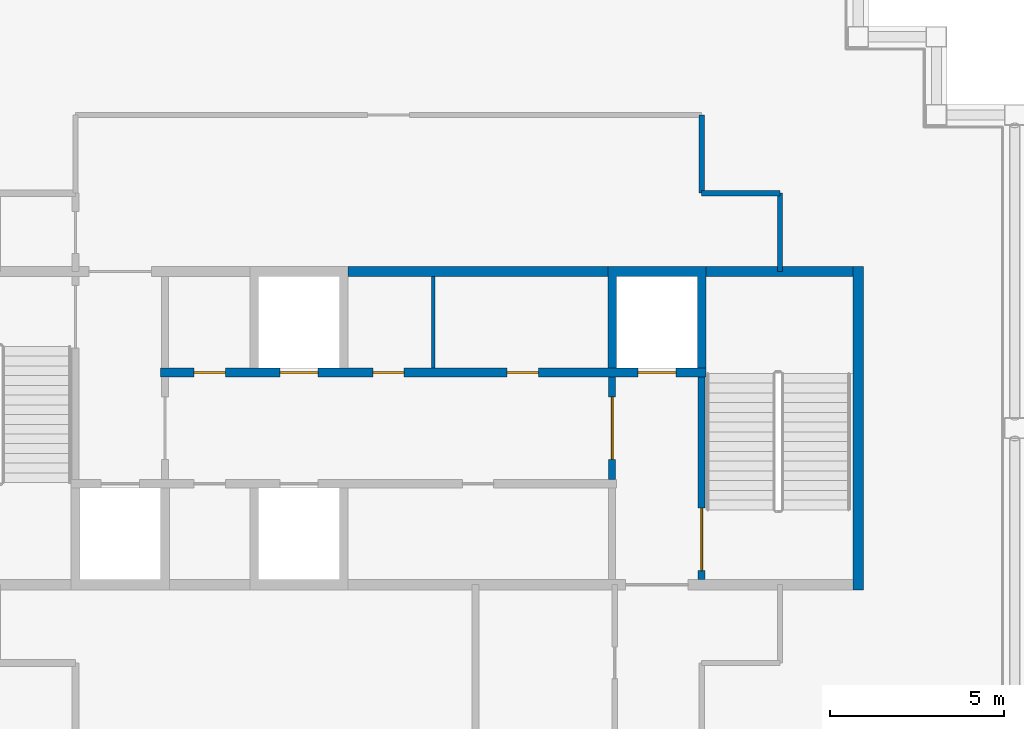
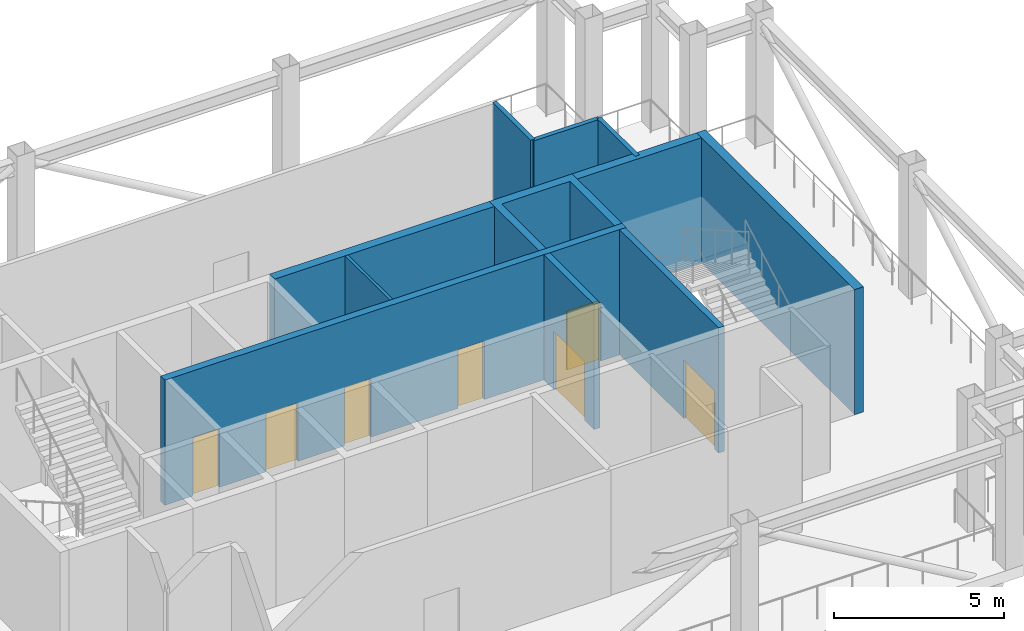
# One storey, part 3 of 9: 11 walls, 7 doors, 7 openings.
"""IFC4 building model written with IfcOpenShell, lengths in metres."""

import ifcopenshell
import ifcopenshell.guid

model = None  # the IFC model being written
_history = None  # IfcOwnerHistory: only IFC2X3 demands one
_inside = {}  # id of a spatial element -> (the spatial element, [elements in it])
_under = {}  # id of a project, library or spatial element -> (it, [spatial elements below it])
_declared = {}  # id of a project -> (the project, [libraries it declares])
_typed = {}  # id of a type object -> (the type object, [elements of that type])
_made_of = {}  # id of a material, layer set ... -> (it, [elements and type objects made of it])


def new_model(schema):
    """Start an empty IFC model of exactly this schema.

    Asked for "IFC4X3", IfcOpenShell would pick the latest addendum, in which some entities
    have other attributes; the version numbers below select the first issue.
    IFC2X3 requires an IfcOwnerHistory on every rooted entity: one is made here for all.
    """
    global model, _history
    if schema == "IFC4X3":
        model = ifcopenshell.file(schema_version=(4, 3, 0, 0))
    else:
        model = ifcopenshell.file(schema=schema)
    _inside.clear()
    _under.clear()
    _declared.clear()
    _typed.clear()
    _made_of.clear()
    _history = None
    if model.schema == "IFC2X3":
        org = make("IfcOrganization", Name="unknown")
        user = make(
            "IfcPersonAndOrganization",
            ThePerson=make("IfcPerson", FamilyName="unknown"),
            TheOrganization=org,
        )
        app = make(
            "IfcApplication",
            ApplicationDeveloper=org,
            Version="unknown",
            ApplicationFullName="unknown",
            ApplicationIdentifier="unknown",
        )
        _history = make(
            "IfcOwnerHistory",
            OwningUser=user,
            OwningApplication=app,
            ChangeAction="ADDED",
            CreationDate=0,
        )
    return model


def make(cls, **values):
    """One entity of the class cls with the attributes given. An attribute that is None is left unset."""
    return model.create_entity(
        cls, **{name: value for name, value in values.items() if value is not None}
    )


def rooted(cls, **values):
    """An entity with a GlobalId (a new one), such as an element, a storey or a relation."""
    return make(cls, GlobalId=ifcopenshell.guid.new(), OwnerHistory=_history, **values)


def si_unit(unit_type, name, prefix=None):
    """IfcSIUnit, for example si_unit("LENGTHUNIT", "METRE", prefix="MILLI")."""
    return make("IfcSIUnit", UnitType=unit_type, Prefix=prefix, Name=name)


def assignment(units):
    """IfcUnitAssignment: the units of a project."""
    return None if units is None else make("IfcUnitAssignment", Units=units)


def point(xyz):
    """IfcCartesianPoint."""
    return None if xyz is None else make("IfcCartesianPoint", Coordinates=xyz)


def direction(xyz):
    """IfcDirection."""
    return None if xyz is None else make("IfcDirection", DirectionRatios=xyz)


def frame(location, z_axis=None, x_axis=None):
    """IfcAxis2Placement3D, a coordinate frame: its origin and axes. An axis left out is left unset."""
    return make(
        "IfcAxis2Placement3D",
        Location=point(location),
        Axis=direction(z_axis),
        RefDirection=direction(x_axis),
    )


def frame_2d(location, x_axis=None):
    """IfcAxis2Placement2D, a coordinate frame in the plane: its origin and x axis."""
    return make(
        "IfcAxis2Placement2D", Location=point(location), RefDirection=direction(x_axis)
    )


def origin():
    """The frame at (0, 0, 0) with its axes left unset."""
    return frame((0.0, 0.0, 0.0))


def place(relative_to, where):
    """IfcLocalPlacement: puts the frame where relative to a parent placement (None: the world)."""
    return make(
        "IfcLocalPlacement", PlacementRelTo=relative_to, RelativePlacement=where
    )


def context(
    kind, dimensions, precision=None, world=None, true_north=None, identifier=None
):
    """IfcGeometricRepresentationContext, for example the 3D "Model" context."""
    return make(
        "IfcGeometricRepresentationContext",
        ContextIdentifier=identifier,
        ContextType=kind,
        CoordinateSpaceDimension=dimensions,
        Precision=precision,
        WorldCoordinateSystem=world,
        TrueNorth=true_north,
    )


def subcontext(parent, identifier, kind, view, scale=None):
    """IfcGeometricRepresentationSubContext, for example "Body" below "Model"."""
    return make(
        "IfcGeometricRepresentationSubContext",
        ContextIdentifier=identifier,
        ContextType=kind,
        ParentContext=parent,
        TargetScale=scale,
        TargetView=view,
    )


def project(units=None, contexts=None):
    """IfcProject with its units and contexts."""
    return rooted(
        "IfcProject",
        Name="project",
        RepresentationContexts=contexts,
        UnitsInContext=assignment(units),
    )


def spatial(cls, under=None, at=None, **own):
    """A site, building, storey or space (cls), placed at a placement, below another one or the project."""
    s = rooted(cls, ObjectPlacement=at, **own)
    if under is not None:
        _under.setdefault(under.id(), (under, []))[1].append(s)
    return s


def polyline(points):
    """IfcPolyline through the points."""
    return make("IfcPolyline", Points=[point(p) for p in points])


def profile(cls, at=None, kind="AREA", **sizes):
    """A parametric profile (cls). Its sizes go by their IFC names, for example OverallWidth=200.0."""
    return make(cls, ProfileType=kind, Position=at, **sizes)


def rectangle(**sizes):
    """IfcRectangleProfileDef."""
    return profile("IfcRectangleProfileDef", **sizes)


def outline(outer, holes=None, kind="AREA"):
    """IfcArbitraryClosedProfileDef: a profile drawn as a closed curve; with holes, ...WithVoids."""
    if holes is None:
        return make("IfcArbitraryClosedProfileDef", ProfileType=kind, OuterCurve=outer)
    return make(
        "IfcArbitraryProfileDefWithVoids",
        ProfileType=kind,
        OuterCurve=outer,
        InnerCurves=holes,
    )


def extrude(swept, where, along, depth):
    """IfcExtrudedAreaSolid: the profile swept, set in the frame where, extruded along a direction by depth."""
    return make(
        "IfcExtrudedAreaSolid",
        SweptArea=swept,
        Position=where,
        ExtrudedDirection=direction(along),
        Depth=depth,
    )


def shape(context_of_items, identifier, shape_type, items):
    """IfcShapeRepresentation: the items that make up one representation, for example the "Body"."""
    return make(
        "IfcShapeRepresentation",
        ContextOfItems=context_of_items,
        RepresentationIdentifier=identifier,
        RepresentationType=shape_type,
        Items=items,
    )


def material(Name=None, Category=None):
    """IfcMaterial."""
    return make("IfcMaterial", Name=Name, Category=Category)


def layer(
    of_material, thickness, ventilated=None, Name=None, Category=None, Priority=None
):
    """IfcMaterialLayer: one layer of a wall or slab, of a material (None: an air gap)."""
    return make(
        "IfcMaterialLayer",
        Material=of_material,
        LayerThickness=thickness,
        IsVentilated=ventilated,
        Name=Name,
        Category=Category,
        Priority=Priority,
    )


def layer_set(layers, Name=None):
    """IfcMaterialLayerSet."""
    return make("IfcMaterialLayerSet", MaterialLayers=layers, LayerSetName=Name)


def made_of(thing, what):
    """Note that an element or type object is made of a material, layer set ...; save() writes the relation."""
    if what is not None:
        _made_of.setdefault(what.id(), (what, []))[1].append(thing)
    return thing


def type_object(cls, material=None, **own):
    """A type object (cls), such as IfcWallType, which elements share."""
    return made_of(rooted(cls, **own), material)


def element(
    cls,
    number,
    at=None,
    inside=None,
    cuts=None,
    type_object=None,
    material=None,
    context=None,
    identifier="Body",
    shape_type=None,
    held_by="IfcProductDefinitionShape",
    body=None,
    shapes=None,
    **own,
):
    """One element of the class cls, such as IfcWall. Its Tag is "e" and its number.

    at: its placement. inside: the storey or other place that contains it. cuts: it is an
    opening in that element (IfcRelVoidsElement). A single representation is given by context,
    identifier, shape_type and body (its items); several are given by shapes. held_by: the class
    of the entity that holds the representations. save() writes the other relations.
    """
    e = rooted(cls, Tag="e%d" % number, ObjectPlacement=at, **own)
    if body is not None:
        shapes = [shape(context, identifier, shape_type, body)]
    if shapes is not None:
        e.Representation = make(held_by, Representations=shapes)
    if inside is not None:
        _inside.setdefault(inside.id(), (inside, []))[1].append(e)
    if cuts is not None:
        rooted(
            "IfcRelVoidsElement", RelatingBuildingElement=cuts, RelatedOpeningElement=e
        )
    if type_object is not None:
        _typed.setdefault(type_object.id(), (type_object, []))[1].append(e)
    return made_of(e, material)


def fill(opening, filler):
    """IfcRelFillsElement: the door or window that sits in an opening."""
    return rooted(
        "IfcRelFillsElement",
        RelatingOpeningElement=opening,
        RelatedBuildingElement=filler,
    )


def aggregate(whole, parts):
    """IfcRelAggregates: a whole, such as a stair, and the parts it consists of."""
    return rooted("IfcRelAggregates", RelatingObject=whole, RelatedObjects=parts)


def save(model, path):
    """Write the relations noted so far, then the file.

    IfcRelAggregates (storeys below a building ...), IfcRelContainedInSpatialStructure (elements
    in a storey), IfcRelDefinesByType, IfcRelAssociatesMaterial and IfcRelDeclares: one each for
    every whole, place, type object, material and project.
    """
    for whole, parts in _under.values():
        aggregate(whole, parts)
    for where, things in _inside.values():
        rooted(
            "IfcRelContainedInSpatialStructure",
            RelatedElements=things,
            RelatingStructure=where,
        )
    for kind, things in _typed.values():
        rooted("IfcRelDefinesByType", RelatedObjects=things, RelatingType=kind)
    for what, things in _made_of.values():
        rooted("IfcRelAssociatesMaterial", RelatedObjects=things, RelatingMaterial=what)
    for by, libraries in _declared.values():
        rooted("IfcRelDeclares", RelatingContext=by, RelatedDefinitions=libraries)
    model.write(path)


model = new_model("IFC4")

# Units and contexts
model_context = context("Model", 3, precision=1e-05, world=origin(), true_north=direction((0.0, 1.0)))
body_context = subcontext(model_context, "Body", "Model", "MODEL_VIEW")
ifc_project = project(units=[si_unit("LENGTHUNIT", "METRE"), si_unit("AREAUNIT", "SQUARE_METRE"), si_unit("VOLUMEUNIT", "CUBIC_METRE"), si_unit("PLANEANGLEUNIT", "RADIAN"), si_unit("MASSUNIT", "GRAM", prefix="KILO")], contexts=[model_context])

# Site, building, storey
site_placement = place(None, origin())
site = spatial("IfcSite", under=ifc_project, at=site_placement, CompositionType="ELEMENT")
building_placement = place(site_placement, origin())
building = spatial("IfcBuilding", under=site, at=building_placement, Name="Caravel Reach Hotel and Residences", CompositionType="ELEMENT")
storey_placement = place(building_placement, frame((0.0, 0.0, 278.60009765625)))
storey = spatial("IfcBuildingStorey", under=building, at=storey_placement, Name="L71", CompositionType="ELEMENT", Elevation=278.60009765625)

# Walls
ifc_material_1 = material(Name="Concrete C60", Category="concrete")
ifc_layer_1 = layer(ifc_material_1, 0.300048828125)
ifc_layer_set_1 = layer_set([ifc_layer_1], Name="Core wall 300 mm EI 120")
wall_type_1 = type_object("IfcWallType", Name="Core wall 300 mm EI 120", PredefinedType="SHEAR", material=ifc_layer_set_1)
wall_1_placement = place(storey_placement, frame((30.33935546875, 31.5, 0.0), z_axis=(0.0, 0.0, 1.0), x_axis=(1.0, 0.0, 0.0)))
element("IfcWall", 1, at=wall_1_placement, inside=storey, type_object=wall_type_1, Name="L71 core wall N2", PredefinedType="SHEAR", context=body_context, shape_type="SweptSolid", body=[
    extrude(rectangle(XDim=7.464111328125, YDim=0.300048828125, at=frame_2d((3.73193359375, 0.0))), origin(), (0.0, 0.0, 1.0), 4.5),
])
wall_2_placement = place(storey_placement, frame((40.625, 31.5, 0.0), z_axis=(0.0, 0.0, 1.0), x_axis=(1.0, 0.0, 0.0)))
element("IfcWall", 2, at=wall_2_placement, inside=storey, type_object=wall_type_1, Name="L71 core wall N3", PredefinedType="SHEAR", context=body_context, shape_type="SweptSolid", body=[
    extrude(rectangle(XDim=4.22509765625, YDim=0.300048828125, at=frame_2d((2.112548828125, 0.0))), origin(), (0.0, 0.0, 1.0), 4.5),
])
wall_3_placement = place(storey_placement, frame((45.0, 22.35009765625, 0.0), z_axis=(0.0, 0.0, 1.0), x_axis=(0.0, 1.0, 0.0)))
element("IfcWall", 3, at=wall_3_placement, inside=storey, type_object=wall_type_1, Name="L71 core wall E", PredefinedType="SHEAR", context=body_context, shape_type="SweptSolid", body=[
    extrude(rectangle(XDim=9.2998046875, YDim=0.300048828125, at=frame_2d((4.64990234375, 0.0))), origin(), (0.0, 0.0, 1.0), 4.5),
])
ifc_material_2 = material(Name="Gypsum board on steel stud, fire-rated", Category="steel")
ifc_layer_2 = layer(ifc_material_2, 0.14990234375)
ifc_layer_set_2 = layer_set([ifc_layer_2], Name="Corridor wall 150 mm EI 60")
wall_type_2 = type_object("IfcWallType", Name="Corridor wall 150 mm EI 60", PredefinedType="PARTITIONING", material=ifc_layer_set_2)
for number, where, z_axis, x_axis, name in (
    (4, (40.5, 33.75, 0.0), (0.0, 0.0, 1.0), (1.0, 0.0, 0.0), "L71 wall w004"),
    (5, (40.5, 33.75, 0.0), (0.0, 0.0, 1.0), (0.0, 1.0, 0.0), "L71 wall w008"),
    (6, (42.75, 31.5, 0.0), (0.0, 0.0, 1.0), (0.0, 1.0, 0.0), "L71 wall w010"),
):
    element("IfcWall", number, at=place(storey_placement, frame(where, z_axis=z_axis, x_axis=x_axis)), inside=storey, type_object=wall_type_2, Name=name, PredefinedType="PARTITIONING", context=body_context, shape_type="SweptSolid", body=[
        extrude(rectangle(XDim=2.25, YDim=0.14990234375, at=frame_2d((1.125, 0.0))), origin(), (0.0, 0.0, 1.0), 4.5),
    ])

# Wall, opening, door
ifc_material_3 = material(Name="Autoclaved aerated block wall")
ifc_layer_3 = layer(ifc_material_3, 0.199951171875)
ifc_layer_set_3 = layer_set([ifc_layer_3], Name="Fire lobby wall 200 mm EI 120")
wall_type_3 = type_object("IfcWallType", Name="Fire lobby wall 200 mm EI 120", PredefinedType="PARTITIONING", material=ifc_layer_set_3)
wall_4_placement = place(storey_placement, frame((37.928466796875, 25.52490234375, 0.0), z_axis=(0.0, 0.0, 1.0), x_axis=(0.0, 1.0, 0.0)))
wall_4 = element("IfcWall", 7, at=wall_4_placement, inside=storey, type_object=wall_type_3, Name="L71 lobby E wall", PredefinedType="PARTITIONING", context=body_context, shape_type="SweptSolid", body=[
    extrude(rectangle(XDim=2.9501953125, YDim=0.199951171875, at=frame_2d((1.47509765625, 0.0))), origin(), (0.0, 0.0, 1.0), 4.5),
])
opening_1_placement = place(wall_4_placement, frame((0.574951171875, 0.0, 0.0)))
opening_1 = element("IfcOpeningElement", 8, at=opening_1_placement, cuts=wall_4, Name="Opening D71-013", PredefinedType="OPENING", context=body_context, shape_type="SweptSolid", body=[
    extrude(rectangle(XDim=1.800048828125, YDim=2.10009765625, at=frame_2d((0.89990234375, 1.050048828125))), frame((0.0, 0.10986328125, 0.0), z_axis=(0.0, -1.0, 0.0), x_axis=(1.0, 0.0, 0.0)), (0.0, 0.0, 1.0), 0.219970703125),
])
ifc_material_4 = material(Name="Steel fire door leaf", Category="steel")
door_type_1 = type_object("IfcDoorType", Name="Fire lobby door pair 1800 x 2100 EI 90", OperationType="DOUBLE_DOOR_SINGLE_SWING", PredefinedType="DOOR", material=ifc_material_4)
door_1_placement = place(opening_1_placement, origin())
door_1 = element("IfcDoor", 9, at=door_1_placement, inside=storey, type_object=door_type_1, Name="lobby E door pair", OperationType="DOUBLE_DOOR_SINGLE_SWING", OverallHeight=2.10009765625, OverallWidth=1.800048828125, PredefinedType="DOOR", context=body_context, shape_type="SweptSolid", body=[
    extrude(rectangle(XDim=1.800048828125, YDim=2.10009765625, at=frame_2d((0.89990234375, 1.050048828125))), frame((0.0, 0.02490234375, 0.0), z_axis=(0.0, -1.0, 0.0), x_axis=(1.0, 0.0, 0.0)), (0.0, 0.0, 1.0), 0.050048828125),
])
fill(opening_1, door_1)

# Walls
ifc_material_5 = material(Name="Gypsum board on steel stud", Category="steel")
ifc_layer_4 = layer(ifc_material_5, 0.10009765625)
ifc_layer_set_4 = layer_set([ifc_layer_4], Name="Partition 100 mm")
wall_type_4 = type_object("IfcWallType", Name="Partition 100 mm", PredefinedType="PARTITIONING", material=ifc_layer_set_4)
wall_5_placement = place(storey_placement, frame((32.78564453125, 28.72509765625, 0.0), z_axis=(0.0, 0.0, 1.0), x_axis=(0.0, 1.0, 0.0)))
element("IfcWall", 10, at=wall_5_placement, inside=storey, type_object=wall_type_4, Name="L71 store partition", PredefinedType="PARTITIONING", context=body_context, shape_type="SweptSolid", body=[
    extrude(rectangle(XDim=2.625, YDim=0.10009765625, at=frame_2d((1.3125, 0.0))), origin(), (0.0, 0.0, 1.0), 4.5),
])
ifc_material_6 = material(Name="Concrete C60", Category="concrete")
ifc_layer_5 = layer(ifc_material_6, 0.25)
ifc_layer_set_5 = layer_set([ifc_layer_5], Name="Shaft wall 250 mm EI 120")
wall_type_5 = type_object("IfcWallType", Name="Shaft wall 250 mm EI 120", PredefinedType="SHEAR", material=ifc_layer_set_5)
wall_6_placement = place(storey_placement, origin())
element("IfcWall", 11, at=wall_6_placement, inside=storey, type_object=wall_type_5, Name="L71 lift shaft wall N2", PredefinedType="SHEAR", context=body_context, shape_type="SweptSolid", body=[
    extrude(outline(polyline([(37.803466796875, 28.72509765625), (38.053466796875, 28.72509765625), (38.053466796875, 31.35009765625), (40.375, 31.35009765625), (40.375, 28.72509765625), (40.625, 28.72509765625), (40.625, 31.64990234375), (37.803466796875, 31.64990234375), (37.803466796875, 28.72509765625)])), origin(), (0.0, 0.0, 1.0), 4.5),
])

# Wall, openings, doors
wall_7_placement = place(storey_placement, frame((24.946533203125, 28.60009765625, 0.0), z_axis=(0.0, 0.0, 1.0), x_axis=(1.0, 0.0, 0.0)))
wall_7 = element("IfcWall", 12, at=wall_7_placement, inside=storey, type_object=wall_type_5, Name="L71 lobby wall N1", PredefinedType="SHEAR", context=body_context, shape_type="SweptSolid", body=[
    extrude(rectangle(XDim=15.678466796875, YDim=0.25, at=frame_2d((7.83935546875, 0.0))), origin(), (0.0, 0.0, 1.0), 4.5),
])
opening_2_placement = place(wall_7_placement, frame((3.43212890625, 0.0, 0.0)))
opening_2 = element("IfcOpeningElement", 13, at=opening_2_placement, cuts=wall_7, Name="Opening D71-002", PredefinedType="OPENING", context=body_context, shape_type="SweptSolid", body=[
    extrude(rectangle(XDim=1.10009765625, YDim=2.10009765625, at=frame_2d((0.550048828125, 1.050048828125))), frame((0.0, 0.135009765625, 0.0), z_axis=(0.0, -1.0, 0.0), x_axis=(1.0, 0.0, 0.0)), (0.0, 0.0, 1.0), 0.27001953125),
])
opening_3_placement = place(wall_7_placement, frame((13.718017578125, 0.0, 0.0)))
opening_3 = element("IfcOpeningElement", 14, at=opening_3_placement, cuts=wall_7, Name="Opening D71-004", PredefinedType="OPENING", context=body_context, shape_type="SweptSolid", body=[
    extrude(rectangle(XDim=1.10009765625, YDim=2.10009765625, at=frame_2d((0.550048828125, 1.050048828125))), frame((0.0, 0.135009765625, 0.0), z_axis=(0.0, -1.0, 0.0), x_axis=(1.0, 0.0, 0.0)), (0.0, 0.0, 1.0), 0.27001953125),
])
opening_4_placement = place(wall_7_placement, frame((0.960693359375, 0.0, 0.0)))
opening_4 = element("IfcOpeningElement", 15, at=opening_4_placement, cuts=wall_7, Name="Opening D71-007", PredefinedType="OPENING", context=body_context, shape_type="SweptSolid", body=[
    extrude(rectangle(XDim=0.89990234375, YDim=2.10009765625, at=frame_2d((0.449951171875, 1.050048828125))), frame((0.0, 0.135009765625, 0.0), z_axis=(0.0, -1.0, 0.0), x_axis=(1.0, 0.0, 0.0)), (0.0, 0.0, 1.0), 0.27001953125),
])
opening_5_placement = place(wall_7_placement, frame((6.103515625, 0.0, 0.0)))
opening_5 = element("IfcOpeningElement", 16, at=opening_5_placement, cuts=wall_7, Name="Opening D71-008", PredefinedType="OPENING", context=body_context, shape_type="SweptSolid", body=[
    extrude(rectangle(XDim=0.89990234375, YDim=2.10009765625, at=frame_2d((0.449951171875, 1.050048828125))), frame((0.0, 0.135009765625, 0.0), z_axis=(0.0, -1.0, 0.0), x_axis=(1.0, 0.0, 0.0)), (0.0, 0.0, 1.0), 0.27001953125),
])
opening_6_placement = place(wall_7_placement, frame((9.960693359375, 0.0, 0.0)))
opening_6 = element("IfcOpeningElement", 17, at=opening_6_placement, cuts=wall_7, Name="Opening D71-009", PredefinedType="OPENING", context=body_context, shape_type="SweptSolid", body=[
    extrude(rectangle(XDim=0.89990234375, YDim=2.10009765625, at=frame_2d((0.449951171875, 1.050048828125))), frame((0.0, 0.135009765625, 0.0), z_axis=(0.0, -1.0, 0.0), x_axis=(1.0, 0.0, 0.0)), (0.0, 0.0, 1.0), 0.27001953125),
])
ifc_material_7 = material(Name="Stainless steel landing door", Category="steel")
door_type_2 = type_object("IfcDoorType", Name="Landing door LD 1100 x 2100 sliding", OperationType="DOUBLE_DOOR_SLIDING", PredefinedType="DOOR", material=ifc_material_7)
door_2_placement = place(opening_2_placement, origin())
door_2 = element("IfcDoor", 18, at=door_2_placement, inside=storey, type_object=door_type_2, Name="HP2 landing door", OperationType="DOUBLE_DOOR_SLIDING", OverallHeight=2.10009765625, OverallWidth=1.10009765625, PredefinedType="DOOR", context=body_context, shape_type="SweptSolid", body=[
    extrude(rectangle(XDim=1.10009765625, YDim=2.10009765625, at=frame_2d((0.550048828125, 1.050048828125))), frame((0.0, 0.02490234375, 0.0), z_axis=(0.0, -1.0, 0.0), x_axis=(1.0, 0.0, 0.0)), (0.0, 0.0, 1.0), 0.050048828125),
])
fill(opening_2, door_2)
door_3_placement = place(opening_3_placement, origin())
door_3 = element("IfcDoor", 19, at=door_3_placement, inside=storey, type_object=door_type_2, Name="FL2 landing door", OperationType="DOUBLE_DOOR_SLIDING", OverallHeight=2.10009765625, OverallWidth=1.10009765625, PredefinedType="DOOR", context=body_context, shape_type="SweptSolid", body=[
    extrude(rectangle(XDim=1.10009765625, YDim=2.10009765625, at=frame_2d((0.550048828125, 1.050048828125))), frame((0.0, 0.02490234375, 0.0), z_axis=(0.0, -1.0, 0.0), x_axis=(1.0, 0.0, 0.0)), (0.0, 0.0, 1.0), 0.050048828125),
])
fill(opening_3, door_3)
ifc_material_8 = material(Name="Steel fire door leaf", Category="steel")
door_type_3 = type_object("IfcDoorType", Name="Riser door 900 x 2100 EI 60", OperationType="SINGLE_SWING_LEFT", PredefinedType="DOOR", material=ifc_material_8)
door_4_placement = place(opening_4_placement, origin())
door_4 = element("IfcDoor", 20, at=door_4_placement, inside=storey, type_object=door_type_3, Name="Comms room door", OperationType="SINGLE_SWING_LEFT", OverallHeight=2.10009765625, OverallWidth=0.89990234375, PredefinedType="DOOR", context=body_context, shape_type="SweptSolid", body=[
    extrude(rectangle(XDim=0.89990234375, YDim=2.10009765625, at=frame_2d((0.449951171875, 1.050048828125))), frame((0.0, 0.02490234375, 0.0), z_axis=(0.0, -1.0, 0.0), x_axis=(1.0, 0.0, 0.0)), (0.0, 0.0, 1.0), 0.050048828125),
])
fill(opening_4, door_4)
door_5_placement = place(opening_5_placement, origin())
door_5 = element("IfcDoor", 21, at=door_5_placement, inside=storey, type_object=door_type_3, Name="Refuse store door", OperationType="SINGLE_SWING_LEFT", OverallHeight=2.10009765625, OverallWidth=0.89990234375, PredefinedType="DOOR", context=body_context, shape_type="SweptSolid", body=[
    extrude(rectangle(XDim=0.89990234375, YDim=2.10009765625, at=frame_2d((0.449951171875, 1.050048828125))), frame((0.0, 0.02490234375, 0.0), z_axis=(0.0, -1.0, 0.0), x_axis=(1.0, 0.0, 0.0)), (0.0, 0.0, 1.0), 0.050048828125),
])
fill(opening_5, door_5)
door_6_placement = place(opening_6_placement, origin())
door_6 = element("IfcDoor", 22, at=door_6_placement, inside=storey, type_object=door_type_3, Name="Housekeeping store door", OperationType="SINGLE_SWING_LEFT", OverallHeight=2.10009765625, OverallWidth=0.89990234375, PredefinedType="DOOR", context=body_context, shape_type="SweptSolid", body=[
    extrude(rectangle(XDim=0.89990234375, YDim=2.10009765625, at=frame_2d((0.449951171875, 1.050048828125))), frame((0.0, 0.02490234375, 0.0), z_axis=(0.0, -1.0, 0.0), x_axis=(1.0, 0.0, 0.0)), (0.0, 0.0, 1.0), 0.050048828125),
])
fill(opening_6, door_6)

# Wall, opening, door
ifc_material_9 = material(Name="Concrete C60", Category="concrete")
ifc_layer_6 = layer(ifc_material_9, 0.199951171875)
ifc_layer_set_6 = layer_set([ifc_layer_6], Name="Stair enclosure wall 200 mm EI 120")
wall_type_6 = type_object("IfcWallType", Name="Stair enclosure wall 200 mm EI 120", PredefinedType="SHEAR", material=ifc_layer_set_6)
wall_8_placement = place(storey_placement, frame((40.5, 22.64990234375, 0.0), z_axis=(0.0, 0.0, 1.0), x_axis=(0.0, 1.0, 0.0)))
wall_8 = element("IfcWall", 23, at=wall_8_placement, inside=storey, type_object=wall_type_6, Name="L71 stair B wall", PredefinedType="SHEAR", context=body_context, shape_type="SweptSolid", body=[
    extrude(rectangle(XDim=5.8251953125, YDim=0.199951171875, at=frame_2d((2.91259765625, 0.0))), origin(), (0.0, 0.0, 1.0), 4.5),
])
opening_7_placement = place(wall_8_placement, frame((0.25, 0.0, 0.0)))
opening_7 = element("IfcOpeningElement", 24, at=opening_7_placement, cuts=wall_8, Name="Opening D71-011", PredefinedType="OPENING", context=body_context, shape_type="SweptSolid", body=[
    extrude(rectangle(XDim=1.800048828125, YDim=2.10009765625, at=frame_2d((0.89990234375, 1.050048828125))), frame((0.0, 0.10986328125, 0.0), z_axis=(0.0, -1.0, 0.0), x_axis=(1.0, 0.0, 0.0)), (0.0, 0.0, 1.0), 0.219970703125),
])
ifc_material_10 = material(Name="Steel fire door leaf", Category="steel")
door_type_4 = type_object("IfcDoorType", Name="Stair door pair 1800 x 2100 EI 90", OperationType="DOUBLE_DOOR_SINGLE_SWING", PredefinedType="DOOR", material=ifc_material_10)
door_7_placement = place(opening_7_placement, origin())
door_7 = element("IfcDoor", 25, at=door_7_placement, inside=storey, type_object=door_type_4, Name="stair B door pair", OperationType="DOUBLE_DOOR_SINGLE_SWING", OverallHeight=2.10009765625, OverallWidth=1.800048828125, PredefinedType="DOOR", context=body_context, shape_type="SweptSolid", body=[
    extrude(rectangle(XDim=1.800048828125, YDim=2.10009765625, at=frame_2d((0.89990234375, 1.050048828125))), frame((0.0, 0.02490234375, 0.0), z_axis=(0.0, -1.0, 0.0), x_axis=(1.0, 0.0, 0.0)), (0.0, 0.0, 1.0), 0.050048828125),
])
fill(opening_7, door_7)

save(model, "model.ifc")
